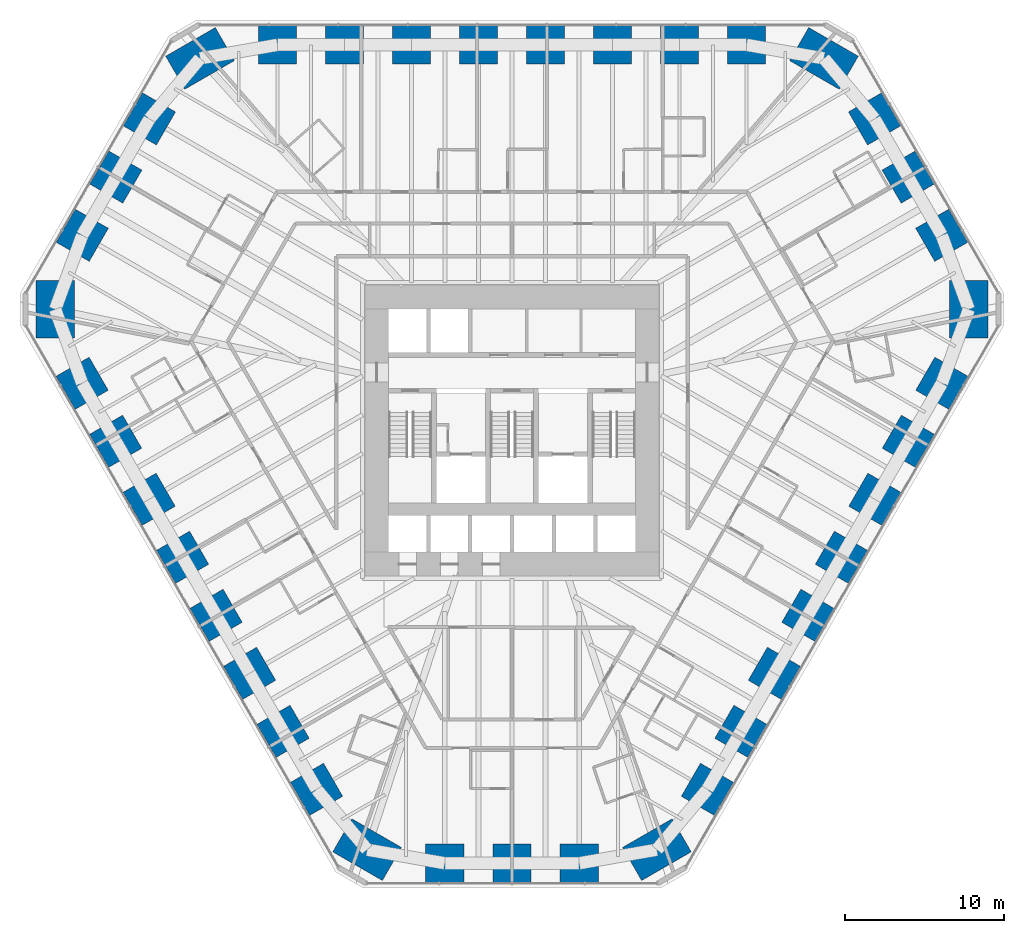
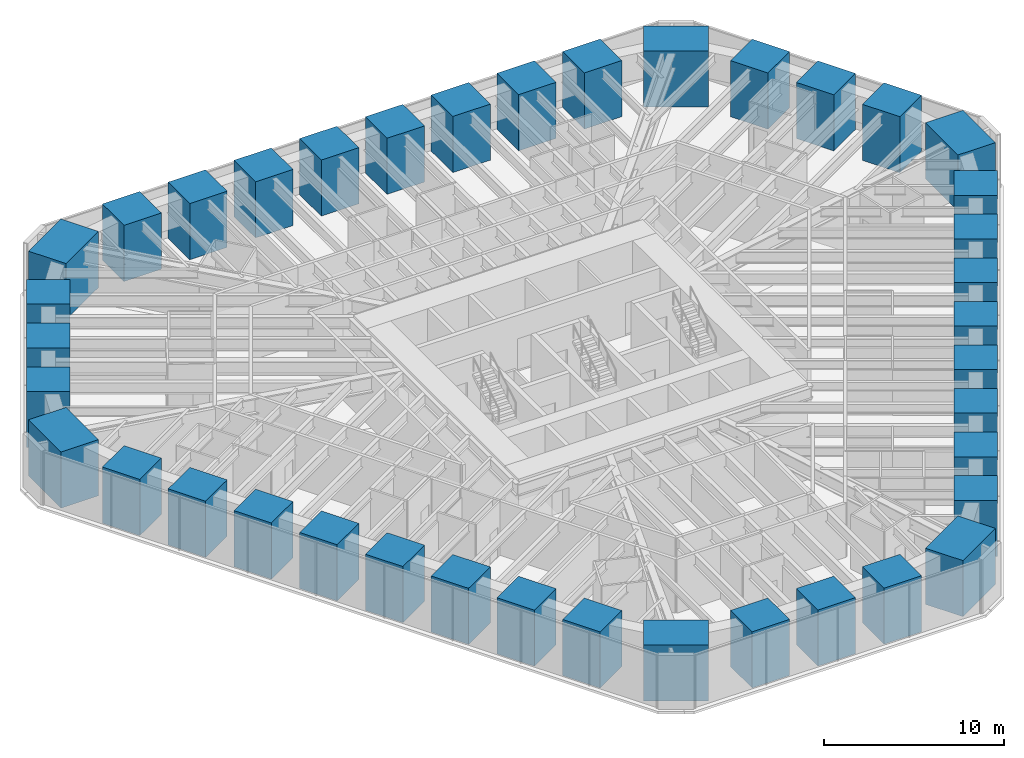
# One storey, part 1 of 17: 39 columns.
"""IFC4 building model written with IfcOpenShell, lengths in metres."""

from ifc_helpers import new_model, si_unit, direction, frame, origin, origin_2d, place, context, subcontext, project, spatial, rectangle, extrude, material, material_profile, profile_set, type_object, element, save


model = new_model("IFC4")

# Units and contexts
model_context = context("Model", 3, precision=1e-05, world=origin(), true_north=direction((0.0, 1.0)))
body_context = subcontext(model_context, "Body", "Model", "MODEL_VIEW")
ifc_project = project(units=[si_unit("LENGTHUNIT", "METRE"), si_unit("AREAUNIT", "SQUARE_METRE"), si_unit("VOLUMEUNIT", "CUBIC_METRE"), si_unit("PLANEANGLEUNIT", "RADIAN"), si_unit("MASSUNIT", "GRAM", prefix="KILO")], contexts=[model_context])

# Site, building, storey
site_placement = place(None, origin())
site = spatial("IfcSite", under=ifc_project, at=site_placement, CompositionType="ELEMENT")
building_placement = place(site_placement, origin())
building = spatial("IfcBuilding", under=site, at=building_placement, Name="Sandreach Pilgrim Tower", CompositionType="ELEMENT")
storey_placement = place(building_placement, frame((0.0, 0.0, 30.60009765625)))
storey = spatial("IfcBuildingStorey", under=building, at=storey_placement, Name="L06", CompositionType="ELEMENT", Elevation=30.60009765625)

# Columns
ifc_material_1 = material(Name="Concrete 10000 psi", Category="concrete")
ifc_material_profile_1 = material_profile(ifc_material_1, rectangle(XDim=2.39990234375, YDim=2.39990234375, at=origin_2d()), Name="RC2400X2400")
ifc_profile_set_1 = profile_set([ifc_material_profile_1], Name="Concrete 10000 psi")
column_type_1 = type_object("IfcColumnType", Name="Tube column RC2400X2400", PredefinedType="COLUMN", material=ifc_profile_set_1)
for number, where, z_axis, x_axis, name in (
    (1, (-14.734619140625, 22.688720703125, 0.0), (0.0, 0.0, 1.0), (0.0, 1.0, 0.0), "COL L06 T01"),
    (2, (-10.52490234375, 22.688720703125, 0.0), (0.0, 0.0, 1.0), (0.0, 1.0, 0.0), "COL L06 T02"),
    (3, (-6.31494140625, 22.688720703125, 0.0), (0.0, 0.0, 1.0), (0.0, 1.0, 0.0), "COL L06 T03"),
    (4, (-2.10498046875, 22.688720703125, 0.0), (0.0, 0.0, 1.0), (0.0, 1.0, 0.0), "COL L06 T04"),
    (5, (2.10498046875, 22.688720703125, 0.0), (0.0, 0.0, 1.0), (0.0, 1.0, 0.0), "COL L06 T05"),
    (6, (6.31494140625, 22.688720703125, 0.0), (0.0, 0.0, 1.0), (0.0, 1.0, 0.0), "COL L06 T06"),
    (7, (10.52490234375, 22.688720703125, 0.0), (0.0, 0.0, 1.0), (0.0, 1.0, 0.0), "COL L06 T07"),
    (8, (14.734619140625, 22.688720703125, 0.0), (0.0, 0.0, 1.0), (0.0, 1.0, 0.0), "COL L06 T08"),
    (9, (22.787841796875, 18.031982421875, 0.0), (0.0, 0.0, 1.0), (0.866025403784, 0.5, 0.0), "COL L06 T10"),
    (10, (24.89892578125, 14.37548828125, 0.0), (0.0, 0.0, 1.0), (0.866025403784, 0.5, 0.0), "COL L06 T11"),
    (11, (27.01025390625, 10.71875, 0.0), (0.0, 0.0, 1.0), (0.866025403784, 0.5, 0.0), "COL L06 T12"),
    (12, (27.016357421875, 1.416259765625, 0.0), (0.0, 0.0, 1.0), (0.866025403784, -0.5, 0.0), "COL L06 T14"),
    (13, (24.911376953125, -2.229736328125, 0.0), (0.0, 0.0, 1.0), (0.866025403784, -0.5, 0.0), "COL L06 T15"),
    (14, (22.806396484375, -5.87548828125, 0.0), (0.0, 0.0, 1.0), (0.866025403784, -0.5, 0.0), "COL L06 T16"),
    (15, (20.701416015625, -9.521484375, 0.0), (0.0, 0.0, 1.0), (0.866025403784, -0.5, 0.0), "COL L06 T17"),
    (16, (18.596435546875, -13.167236328125, 0.0), (0.0, 0.0, 1.0), (0.866025403784, -0.5, 0.0), "COL L06 T18"),
    (17, (16.491455078125, -16.813232421875, 0.0), (0.0, 0.0, 1.0), (0.866025403784, -0.5, 0.0), "COL L06 T19"),
    (18, (14.38671875, -20.458984375, 0.0), (0.0, 0.0, 1.0), (0.866025403784, -0.5, 0.0), "COL L06 T20"),
    (19, (12.28173828125, -24.10498046875, 0.0), (0.0, 0.0, 1.0), (0.866025403784, -0.5, 0.0), "COL L06 T21"),
    (20, (4.222412109375, -28.7509765625, 0.0), (0.0, 0.0, 1.0), (0.0, -1.0, 0.0), "COL L06 T23"),
    (21, (0.0, -28.7509765625, 0.0), (0.0, 0.0, 1.0), (0.0, -1.0, 0.0), "COL L06 T24"),
    (22, (-4.222412109375, -28.7509765625, 0.0), (0.0, 0.0, 1.0), (0.0, -1.0, 0.0), "COL L06 T25"),
    (23, (-12.28173828125, -24.10498046875, 0.0), (0.0, 0.0, 1.0), (-0.866025403784, -0.5, 0.0), "COL L06 T27"),
    (24, (-14.38671875, -20.458984375, 0.0), (0.0, 0.0, 1.0), (-0.866025403784, -0.5, 0.0), "COL L06 T28"),
    (25, (-16.491455078125, -16.813232421875, 0.0), (0.0, 0.0, 1.0), (-0.866025403784, -0.5, 0.0), "COL L06 T29"),
    (26, (-18.596435546875, -13.167236328125, 0.0), (0.0, 0.0, 1.0), (-0.866025403784, -0.5, 0.0), "COL L06 T30"),
    (27, (-20.701416015625, -9.521484375, 0.0), (0.0, 0.0, 1.0), (-0.866025403784, -0.5, 0.0), "COL L06 T31"),
    (28, (-22.806396484375, -5.87548828125, 0.0), (0.0, 0.0, 1.0), (-0.866025403784, -0.5, 0.0), "COL L06 T32"),
    (29, (-24.911376953125, -2.229736328125, 0.0), (0.0, 0.0, 1.0), (-0.866025403784, -0.5, 0.0), "COL L06 T33"),
    (30, (-27.016357421875, 1.416259765625, 0.0), (0.0, 0.0, 1.0), (-0.866025403784, -0.5, 0.0), "COL L06 T34"),
    (31, (-27.01025390625, 10.71875, 0.0), (0.0, 0.0, 1.0), (-0.866025403784, 0.5, 0.0), "COL L06 T36"),
    (32, (-24.89892578125, 14.37548828125, 0.0), (0.0, 0.0, 1.0), (-0.866025403784, 0.5, 0.0), "COL L06 T37"),
    (33, (-22.787841796875, 18.031982421875, 0.0), (0.0, 0.0, 1.0), (-0.866025403784, 0.5, 0.0), "COL L06 T38"),
):
    element("IfcColumn", number, at=place(storey_placement, frame(where, z_axis=z_axis, x_axis=x_axis)), inside=storey, type_object=column_type_1, Name=name, PredefinedType="COLUMN", context=body_context, shape_type="SweptSolid", body=[
        extrude(rectangle(XDim=2.39990234375, YDim=2.39990234375, at=origin_2d()), origin(), (0.0, 0.0, 1.0), 3.7998046875),
    ])
ifc_material_2 = material(Name="Concrete 10000 psi", Category="concrete")
ifc_material_profile_2 = material_profile(ifc_material_2, rectangle(XDim=2.39990234375, YDim=3.60009765625, at=origin_2d()), Name="RC2400X3600")
ifc_profile_set_2 = profile_set([ifc_material_profile_2], Name="Concrete 10000 psi")
column_type_2 = type_object("IfcColumnType", Name="Tube corner pier RC2400X3600", PredefinedType="COLUMN", material=ifc_profile_set_2)
for number, where, z_axis, x_axis, name in (
    (34, (19.6064453125, 21.834716796875, 0.0), (0.0, 0.0, 1.0), (0.5, 0.866025403784, 0.0), "COL L06 T09"),
    (35, (28.712646484375, 6.062255859375, 0.0), (0.0, 0.0, 1.0), (1.0, 0.0, 0.0), "COL L06 T13"),
    (36, (9.1064453125, -27.89697265625, 0.0), (0.0, 0.0, 1.0), (0.5, -0.866025403784, 0.0), "COL L06 T22"),
    (37, (-9.1064453125, -27.89697265625, 0.0), (0.0, 0.0, 1.0), (-0.5, -0.866025403784, 0.0), "COL L06 T26"),
    (38, (-28.712646484375, 6.062255859375, 0.0), (0.0, 0.0, 1.0), (-1.0, 0.0, 0.0), "COL L06 T35"),
    (39, (-19.6064453125, 21.834716796875, 0.0), (0.0, 0.0, 1.0), (-0.5, 0.866025403784, 0.0), "COL L06 T39"),
):
    element("IfcColumn", number, at=place(storey_placement, frame(where, z_axis=z_axis, x_axis=x_axis)), inside=storey, type_object=column_type_2, Name=name, PredefinedType="COLUMN", context=body_context, shape_type="SweptSolid", body=[
        extrude(rectangle(XDim=2.39990234375, YDim=3.60009765625, at=origin_2d()), origin(), (0.0, 0.0, 1.0), 3.7998046875),
    ])

save(model, "model.ifc")
